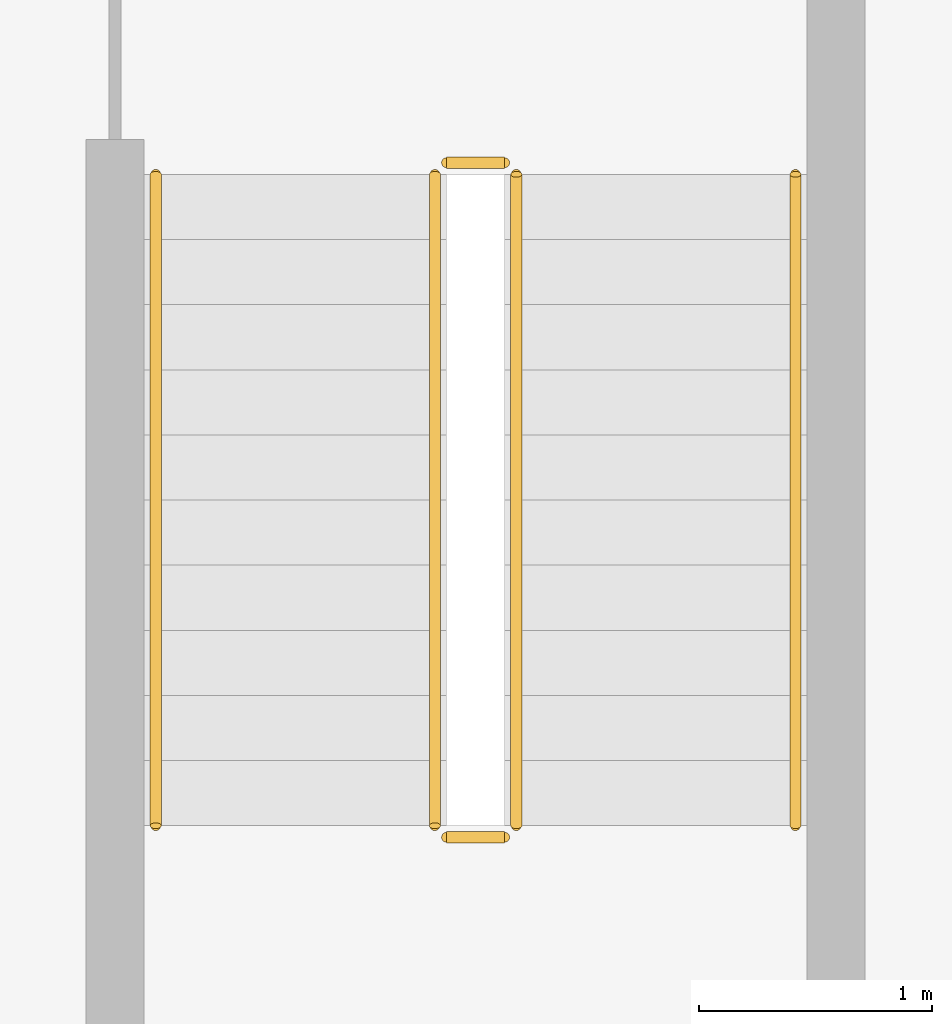
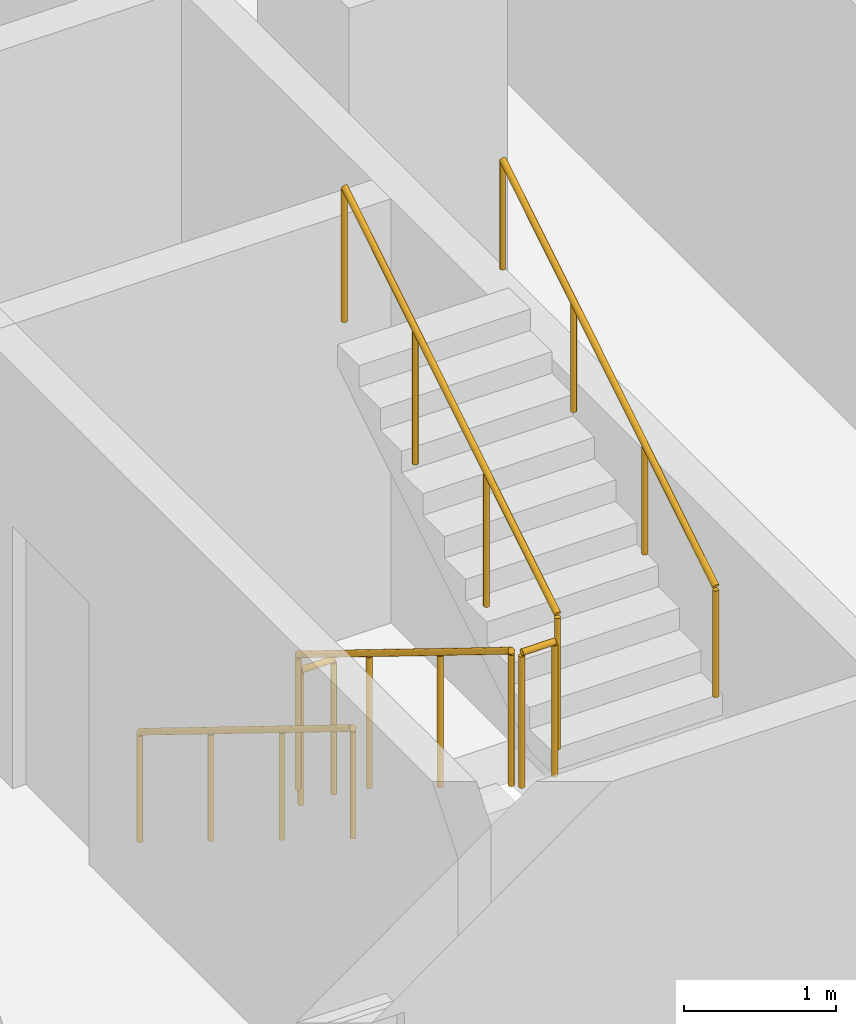
# One storey, part 24 of 28: 6 railings.
"""IFC4 building model written with IfcOpenShell, lengths in metres."""

from ifc_helpers import new_model, si_unit, direction, frame, origin, origin_2d, place, context, subcontext, project, spatial, circle, extrude, material, type_object, element, save


model = new_model("IFC4")

# Units and contexts
model_context = context("Model", 3, precision=1e-05, world=origin(), true_north=direction((0.0, 1.0)))
body_context = subcontext(model_context, "Body", "Model", "MODEL_VIEW")
ifc_project = project(units=[si_unit("LENGTHUNIT", "METRE"), si_unit("AREAUNIT", "SQUARE_METRE"), si_unit("VOLUMEUNIT", "CUBIC_METRE"), si_unit("PLANEANGLEUNIT", "RADIAN"), si_unit("MASSUNIT", "GRAM", prefix="KILO")], contexts=[model_context])

# Site, building, storey
site_placement = place(None, origin())
site = spatial("IfcSite", under=ifc_project, at=site_placement, CompositionType="ELEMENT")
building_placement = place(site_placement, origin())
building = spatial("IfcBuilding", under=site, at=building_placement, Name="Mahtab Terrace Research Tower", CompositionType="ELEMENT")
storey_placement = place(building_placement, frame((0.0, 0.0, 185.800048828125)))
storey = spatial("IfcBuildingStorey", under=building, at=storey_placement, Name="L44", CompositionType="ELEMENT", Elevation=185.800048828125)

# Railings
ifc_material = material(Name="Stainless steel AISI 304", Category="steel")
railing_type_1 = type_object("IfcRailingType", Name="Stair guard 1100", PredefinedType="GUARDRAIL", material=ifc_material)
railing_1_placement = place(storey_placement, frame((2.949951171875, -4.175048828125, 0.172607421875)))
element("IfcRailing", 1, at=railing_1_placement, inside=storey, type_object=railing_type_1, Name="L44 ST2 stair guard 1", PredefinedType="GUARDRAIL", context=body_context, shape_type="SweptSolid", body=[
    extrude(circle(Radius=0.02392578125, at=origin_2d()), frame((0.0, 0.0, 1.076171875), z_axis=(0.0, -0.851089632645, 0.525020415988), x_axis=(1.0, 0.0, 0.0)), (0.0, 0.0, 1.0), 3.2900390625),
    extrude(circle(Radius=0.02099609375, at=origin_2d()), origin(), (0.0, 0.0, 1.0), 1.052001953125),
    extrude(circle(Radius=0.02099609375, at=origin_2d()), frame((0.0, -0.933349609375, 0.57568359375)), (0.0, 0.0, 1.0), 1.052001953125),
    extrude(circle(Radius=0.02099609375, at=origin_2d()), frame((0.0, -1.86669921875, 1.151611328125)), (0.0, 0.0, 1.0), 1.052001953125),
    extrude(circle(Radius=0.02099609375, at=origin_2d()), frame((0.0, -2.800048828125, 1.727294921875)), (0.0, 0.0, 1.0), 1.052001953125),
])
railing_2_placement = place(storey_placement, frame((3.0, -7.02490234375, 1.89990234375)))
element("IfcRailing", 2, at=railing_2_placement, inside=storey, type_object=railing_type_1, Name="L44 ST2 stair guard 2", PredefinedType="GUARDRAIL", context=body_context, shape_type="SweptSolid", body=[
    extrude(circle(Radius=0.02392578125, at=origin_2d()), frame((0.0, 0.0, 1.076171875), z_axis=(1.0, 0.0, 0.0), x_axis=(0.0, 1.0, 0.0)), (0.0, 0.0, 1.0), 0.25),
    extrude(circle(Radius=0.02099609375, at=origin_2d()), origin(), (0.0, 0.0, 1.0), 1.052001953125),
    extrude(circle(Radius=0.02099609375, at=origin_2d()), frame((0.25, 0.0, 0.0)), (0.0, 0.0, 1.0), 1.052001953125),
])
railing_3_placement = place(storey_placement, frame((3.300048828125, -6.97509765625, 2.07275390625)))
element("IfcRailing", 3, at=railing_3_placement, inside=storey, type_object=railing_type_1, Name="L44 ST2 stair guard 3", PredefinedType="GUARDRAIL", context=body_context, shape_type="SweptSolid", body=[
    extrude(circle(Radius=0.02392578125, at=origin_2d()), frame((0.0, 0.0, 1.076171875), z_axis=(0.0, 0.851089632645, 0.525020415988), x_axis=(-1.0, 0.0, 0.0)), (0.0, 0.0, 1.0), 3.2900390625),
    extrude(circle(Radius=0.02099609375, at=origin_2d()), origin(), (0.0, 0.0, 1.0), 1.052001953125),
    extrude(circle(Radius=0.02099609375, at=origin_2d()), frame((0.0, 0.933349609375, 0.57568359375)), (0.0, 0.0, 1.0), 1.052001953125),
    extrude(circle(Radius=0.02099609375, at=origin_2d()), frame((0.0, 1.86669921875, 1.151611328125)), (0.0, 0.0, 1.0), 1.052001953125),
    extrude(circle(Radius=0.02099609375, at=origin_2d()), frame((0.0, 2.800048828125, 1.727294921875)), (0.0, 0.0, 1.0), 1.052001953125),
])
railing_4_placement = place(storey_placement, frame((3.0, -4.125, 0.0)))
element("IfcRailing", 4, at=railing_4_placement, inside=storey, type_object=railing_type_1, Name="L44 ST2 stair guard 4", PredefinedType="GUARDRAIL", context=body_context, shape_type="SweptSolid", body=[
    extrude(circle(Radius=0.02392578125, at=origin_2d()), frame((0.0, 0.0, 1.076171875), z_axis=(1.0, 0.0, 0.0), x_axis=(0.0, 1.0, 0.0)), (0.0, 0.0, 1.0), 0.25),
    extrude(circle(Radius=0.02099609375, at=origin_2d()), origin(), (0.0, 0.0, 1.0), 1.052001953125),
    extrude(circle(Radius=0.02099609375, at=origin_2d()), frame((0.25, 0.0, 0.0)), (0.0, 0.0, 1.0), 1.052001953125),
])
railing_type_2 = type_object("IfcRailingType", Name="Stair handrail 900", PredefinedType="HANDRAIL", material=ifc_material)
railing_5_placement = place(storey_placement, frame((1.75, -4.175048828125, 0.172607421875)))
element("IfcRailing", 5, at=railing_5_placement, inside=storey, type_object=railing_type_2, Name="L44 ST2 stair handrail 1", PredefinedType="HANDRAIL", context=body_context, shape_type="SweptSolid", body=[
    extrude(circle(Radius=0.02392578125, at=origin_2d()), frame((0.0, 0.0, 0.8759765625), z_axis=(0.0, -0.851089632645, 0.525020415988), x_axis=(1.0, 0.0, 0.0)), (0.0, 0.0, 1.0), 3.2900390625),
    extrude(circle(Radius=0.02099609375, at=origin_2d()), origin(), (0.0, 0.0, 1.0), 0.851806640625),
    extrude(circle(Radius=0.02099609375, at=origin_2d()), frame((0.0, -0.933349609375, 0.57568359375)), (0.0, 0.0, 1.0), 0.851806640625),
    extrude(circle(Radius=0.02099609375, at=origin_2d()), frame((0.0, -1.86669921875, 1.151611328125)), (0.0, 0.0, 1.0), 0.851806640625),
    extrude(circle(Radius=0.02099609375, at=origin_2d()), frame((0.0, -2.800048828125, 1.727294921875)), (0.0, 0.0, 1.0), 0.851806640625),
])
railing_6_placement = place(storey_placement, frame((4.5, -6.97509765625, 2.07275390625)))
element("IfcRailing", 6, at=railing_6_placement, inside=storey, type_object=railing_type_2, Name="L44 ST2 stair handrail 2", PredefinedType="HANDRAIL", context=body_context, shape_type="SweptSolid", body=[
    extrude(circle(Radius=0.02392578125, at=origin_2d()), frame((0.0, 0.0, 0.8759765625), z_axis=(0.0, 0.851089632645, 0.525020415988), x_axis=(-1.0, 0.0, 0.0)), (0.0, 0.0, 1.0), 3.2900390625),
    extrude(circle(Radius=0.02099609375, at=origin_2d()), origin(), (0.0, 0.0, 1.0), 0.851806640625),
    extrude(circle(Radius=0.02099609375, at=origin_2d()), frame((0.0, 0.933349609375, 0.57568359375)), (0.0, 0.0, 1.0), 0.851806640625),
    extrude(circle(Radius=0.02099609375, at=origin_2d()), frame((0.0, 1.86669921875, 1.151611328125)), (0.0, 0.0, 1.0), 0.851806640625),
    extrude(circle(Radius=0.02099609375, at=origin_2d()), frame((0.0, 2.800048828125, 1.727294921875)), (0.0, 0.0, 1.0), 0.851806640625),
])

save(model, "model.ifc")
